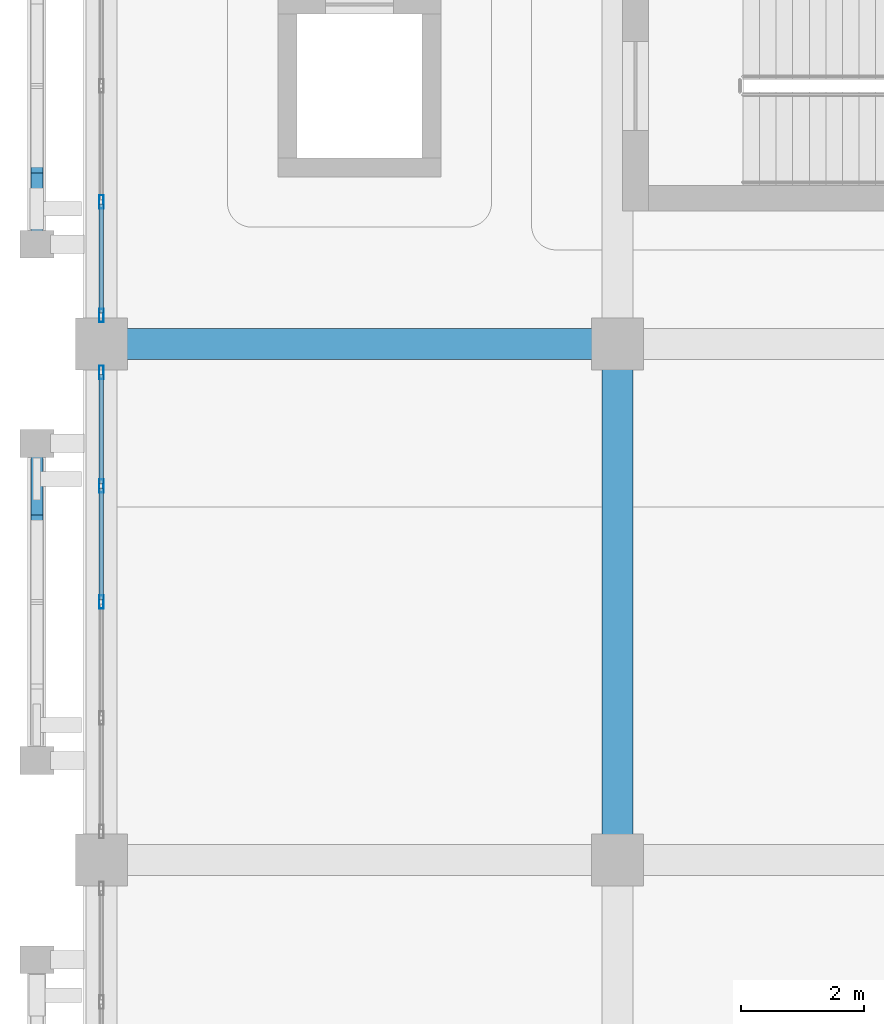
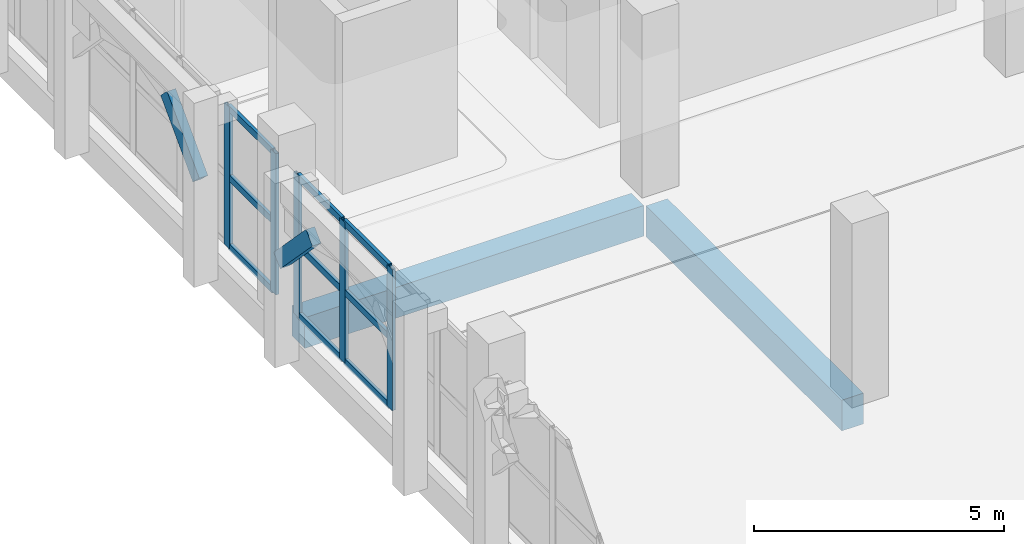
# One storey, part 48 of 137: 16 members, 2 beams, 2 elements without a shape of their own.
"""IFC4 building model written with IfcOpenShell, lengths in metres."""

from ifc_helpers import new_model, si_unit, direction, frame, origin, origin_2d, place, context, subcontext, project, spatial, rectangle, hollow_rectangle, extrude, material, layer, layer_set, material_profile, profile_set, type_object, element, aggregate, save


model = new_model("IFC4")

# Units and contexts
model_context = context("Model", 3, precision=1e-05, world=origin(), true_north=direction((0.0, 1.0)))
body_context = subcontext(model_context, "Body", "Model", "MODEL_VIEW")
ifc_project = project(units=[si_unit("LENGTHUNIT", "METRE"), si_unit("AREAUNIT", "SQUARE_METRE"), si_unit("VOLUMEUNIT", "CUBIC_METRE"), si_unit("PLANEANGLEUNIT", "RADIAN"), si_unit("MASSUNIT", "GRAM", prefix="KILO")], contexts=[model_context])

# Site, building, storey
site_placement = place(None, origin())
site = spatial("IfcSite", under=ifc_project, at=site_placement, CompositionType="ELEMENT")
building_placement = place(site_placement, origin())
building = spatial("IfcBuilding", under=site, at=building_placement, Name="Xazarin Passage Department Store", CompositionType="ELEMENT")
storey_placement = place(building_placement, frame((0.0, 0.0, 5.39990234375)))
storey = spatial("IfcBuildingStorey", under=building, at=storey_placement, Name="L01", CompositionType="ELEMENT", Elevation=5.39990234375)

# Curtain wall, members
ifc_material_1 = material(Name="Bronze anodised aluminium", Category="aluminium")
ifc_layer = layer(ifc_material_1, 0.179931640625)
ifc_layer_set = layer_set([ifc_layer], Name="Bronze anodised aluminium")
curtain_wall_type = type_object("IfcCurtainWallType", Name="ARC-CW-VIT1", PredefinedType="NOTDEFINED", material=ifc_layer_set)
curtain_wall_1_placement = place(storey_placement, origin())
curtain_wall_1 = element("IfcCurtainWall", 1, at=curtain_wall_1_placement, inside=storey, type_object=curtain_wall_type, Name="L01 V1 Curtain Wall 020", PredefinedType="NOTDEFINED")
ifc_material_profile_1 = material_profile(ifc_material_1, hollow_rectangle(XDim=0.074951171875, YDim=0.219970703125, WallThickness=0.0048828125, at=origin_2d()), Name="ALU 75x220")
ifc_profile_set_1 = profile_set([ifc_material_profile_1], Name="Bronze anodised aluminium")
member_type_1 = type_object("IfcMemberType", Name="ARC-CWM-75x220", PredefinedType="MULLION", material=ifc_profile_set_1)
member_1_placement = place(storey_placement, frame((0.0, 72.199951171875, 0.0), z_axis=(0.0, 0.0, 1.0), x_axis=(-1.0, 0.0, 0.0)))
member_1 = element("IfcMember", 2, at=member_1_placement, type_object=member_type_1, Name="CW1 mullion 3", PredefinedType="MULLION", context=body_context, shape_type="SweptSolid", body=[
    extrude(hollow_rectangle(XDim=0.074951171875, YDim=0.219970703125, WallThickness=0.0048828125, at=origin_2d()), origin(), (0.0, 0.0, 1.0), 3.4501953125),
])
member_2_placement = place(storey_placement, frame((0.0, 74.08740234375, 0.0), z_axis=(0.0, 0.0, 1.0), x_axis=(-1.0, 0.0, 0.0)))
member_2 = element("IfcMember", 3, at=member_2_placement, type_object=member_type_1, Name="CW1 mullion 4", PredefinedType="MULLION", context=body_context, shape_type="SweptSolid", body=[
    extrude(hollow_rectangle(XDim=0.074951171875, YDim=0.219970703125, WallThickness=0.0048828125, at=origin_2d()), origin(), (0.0, 0.0, 1.0), 3.4501953125),
])
member_3_placement = place(storey_placement, frame((0.0, 75.9375, 0.0), z_axis=(0.0, 0.0, 1.0), x_axis=(-1.0, 0.0, 0.0)))
member_3 = element("IfcMember", 4, at=member_3_placement, type_object=member_type_1, Name="CW1 mullion 5", PredefinedType="MULLION", context=body_context, shape_type="SweptSolid", body=[
    extrude(hollow_rectangle(XDim=0.074951171875, YDim=0.219970703125, WallThickness=0.0048828125, at=origin_2d()), origin(), (0.0, 0.0, 1.0), 3.4501953125),
])

curtain_wall_2_placement = place(storey_placement, origin())
curtain_wall_2 = element("IfcCurtainWall", 5, at=curtain_wall_2_placement, inside=storey, type_object=curtain_wall_type, Name="L01 V1 Curtain Wall 021", PredefinedType="NOTDEFINED")
member_4_placement = place(storey_placement, frame((0.0, 76.862548828125, 0.0), z_axis=(0.0, 0.0, 1.0), x_axis=(-1.0, 0.0, 0.0)))
member_4 = element("IfcMember", 6, at=member_4_placement, type_object=member_type_1, Name="CW1 mullion 1", PredefinedType="MULLION", context=body_context, shape_type="SweptSolid", body=[
    extrude(hollow_rectangle(XDim=0.074951171875, YDim=0.219970703125, WallThickness=0.0048828125, at=origin_2d()), origin(), (0.0, 0.0, 1.0), 3.4501953125),
])
member_5_placement = place(storey_placement, frame((0.0, 78.71240234375, 0.0), z_axis=(0.0, 0.0, 1.0), x_axis=(-1.0, 0.0, 0.0)))
member_5 = element("IfcMember", 7, at=member_5_placement, type_object=member_type_1, Name="CW1 mullion 2", PredefinedType="MULLION", context=body_context, shape_type="SweptSolid", body=[
    extrude(hollow_rectangle(XDim=0.074951171875, YDim=0.219970703125, WallThickness=0.0048828125, at=origin_2d()), origin(), (0.0, 0.0, 1.0), 3.4501953125),
])

# Member
ifc_material_profile_2 = material_profile(ifc_material_1, hollow_rectangle(XDim=0.074951171875, YDim=0.159912109375, WallThickness=0.00439453125, at=origin_2d()), Name="ALU 75x160")
ifc_profile_set_2 = profile_set([ifc_material_profile_2], Name="Bronze anodised aluminium")
member_type_2 = type_object("IfcMemberType", Name="ARC-CWT-75x160", PredefinedType="USERDEFINED", material=ifc_profile_set_2)
member_6_placement = place(storey_placement, frame((0.0, 72.237548828125, 0.03759765625), z_axis=(0.0, 1.0, 0.0), x_axis=(-1.0, 0.0, 0.0)))
member_6 = element("IfcMember", 8, at=member_6_placement, type_object=member_type_2, Name="CW1 transom 3.1", ObjectType="TRANSOM", PredefinedType="USERDEFINED", context=body_context, shape_type="SweptSolid", body=[
    extrude(hollow_rectangle(XDim=0.074951171875, YDim=0.159912109375, WallThickness=0.00439453125, at=origin_2d()), origin(), (0.0, 0.0, 1.0), 1.8125),
])

member_7_placement = place(storey_placement, frame((0.0, 72.237548828125, 1.72509765625), z_axis=(0.0, 1.0, 0.0), x_axis=(-1.0, 0.0, 0.0)))
member_7 = element("IfcMember", 9, at=member_7_placement, type_object=member_type_2, Name="CW1 transom 3.2", ObjectType="TRANSOM", PredefinedType="USERDEFINED", context=body_context, shape_type="SweptSolid", body=[
    extrude(hollow_rectangle(XDim=0.074951171875, YDim=0.159912109375, WallThickness=0.00439453125, at=origin_2d()), origin(), (0.0, 0.0, 1.0), 1.8125),
])

member_8_placement = place(storey_placement, frame((0.0, 72.237548828125, 3.41259765625), z_axis=(0.0, 1.0, 0.0), x_axis=(-1.0, 0.0, 0.0)))
member_8 = element("IfcMember", 10, at=member_8_placement, type_object=member_type_2, Name="CW1 transom 3.3", ObjectType="TRANSOM", PredefinedType="USERDEFINED", context=body_context, shape_type="SweptSolid", body=[
    extrude(hollow_rectangle(XDim=0.074951171875, YDim=0.159912109375, WallThickness=0.00439453125, at=origin_2d()), origin(), (0.0, 0.0, 1.0), 1.8125),
])

member_9_placement = place(storey_placement, frame((0.0, 74.125, 0.03759765625), z_axis=(0.0, 1.0, 0.0), x_axis=(-1.0, 0.0, 0.0)))
member_9 = element("IfcMember", 11, at=member_9_placement, type_object=member_type_2, Name="CW1 transom 4.1", ObjectType="TRANSOM", PredefinedType="USERDEFINED", context=body_context, shape_type="SweptSolid", body=[
    extrude(hollow_rectangle(XDim=0.074951171875, YDim=0.159912109375, WallThickness=0.00439453125, at=origin_2d()), origin(), (0.0, 0.0, 1.0), 1.77490234375),
])

member_10_placement = place(storey_placement, frame((0.0, 74.125, 1.72509765625), z_axis=(0.0, 1.0, 0.0), x_axis=(-1.0, 0.0, 0.0)))
member_10 = element("IfcMember", 12, at=member_10_placement, type_object=member_type_2, Name="CW1 transom 4.2", ObjectType="TRANSOM", PredefinedType="USERDEFINED", context=body_context, shape_type="SweptSolid", body=[
    extrude(hollow_rectangle(XDim=0.074951171875, YDim=0.159912109375, WallThickness=0.00439453125, at=origin_2d()), origin(), (0.0, 0.0, 1.0), 1.77490234375),
])

member_11_placement = place(storey_placement, frame((0.0, 74.125, 3.41259765625), z_axis=(0.0, 1.0, 0.0), x_axis=(-1.0, 0.0, 0.0)))
member_11 = element("IfcMember", 13, at=member_11_placement, type_object=member_type_2, Name="CW1 transom 4.3", ObjectType="TRANSOM", PredefinedType="USERDEFINED", context=body_context, shape_type="SweptSolid", body=[
    extrude(hollow_rectangle(XDim=0.074951171875, YDim=0.159912109375, WallThickness=0.00439453125, at=origin_2d()), origin(), (0.0, 0.0, 1.0), 1.77490234375),
])

aggregate(curtain_wall_1, [member_1, member_2, member_3, member_6, member_7, member_8, member_9, member_10, member_11])

member_12_placement = place(storey_placement, frame((0.0, 76.89990234375, 0.03759765625), z_axis=(0.0, 1.0, 0.0), x_axis=(-1.0, 0.0, 0.0)))
member_12 = element("IfcMember", 14, at=member_12_placement, type_object=member_type_2, Name="CW1 transom 1.1", ObjectType="TRANSOM", PredefinedType="USERDEFINED", context=body_context, shape_type="SweptSolid", body=[
    extrude(hollow_rectangle(XDim=0.074951171875, YDim=0.159912109375, WallThickness=0.00439453125, at=origin_2d()), origin(), (0.0, 0.0, 1.0), 1.775146484375),
])

member_13_placement = place(storey_placement, frame((0.0, 76.89990234375, 1.72509765625), z_axis=(0.0, 1.0, 0.0), x_axis=(-1.0, 0.0, 0.0)))
member_13 = element("IfcMember", 15, at=member_13_placement, type_object=member_type_2, Name="CW1 transom 1.2", ObjectType="TRANSOM", PredefinedType="USERDEFINED", context=body_context, shape_type="SweptSolid", body=[
    extrude(hollow_rectangle(XDim=0.074951171875, YDim=0.159912109375, WallThickness=0.00439453125, at=origin_2d()), origin(), (0.0, 0.0, 1.0), 1.775146484375),
])

member_14_placement = place(storey_placement, frame((0.0, 76.89990234375, 3.41259765625), z_axis=(0.0, 1.0, 0.0), x_axis=(-1.0, 0.0, 0.0)))
member_14 = element("IfcMember", 16, at=member_14_placement, type_object=member_type_2, Name="CW1 transom 1.3", ObjectType="TRANSOM", PredefinedType="USERDEFINED", context=body_context, shape_type="SweptSolid", body=[
    extrude(hollow_rectangle(XDim=0.074951171875, YDim=0.159912109375, WallThickness=0.00439453125, at=origin_2d()), origin(), (0.0, 0.0, 1.0), 1.775146484375),
])

aggregate(curtain_wall_2, [member_4, member_5, member_12, member_13, member_14])

# Beams
ifc_material_2 = material(Name="Concrete C35/45", Category="concrete")
ifc_material_profile_3 = material_profile(ifc_material_2, rectangle(XDim=0.5, YDim=0.75, at=origin_2d()), Name="RC 500x750")
ifc_profile_set_3 = profile_set([ifc_material_profile_3], Name="Concrete C35/45")
beam_type = type_object("IfcBeamType", Name="STR-BM-SP500x750", PredefinedType="SPANDREL", material=ifc_profile_set_3)
for number, where, z_axis, x_axis, name in (
    (17, (0.280029296875, 76.39990234375, -0.6748046875), (1.0, 0.0, 0.0), (0.0, 1.0, 0.0), "L01 Grid Beam L/1-2"),
    (18, (8.39990234375, 68.280029296875, -0.6748046875), (0.0, 1.0, 0.0), (-1.0, 0.0, 0.0), "L01 Grid Beam 2/K-L"),
):
    element("IfcBeam", number, at=place(storey_placement, frame(where, z_axis=z_axis, x_axis=x_axis)), inside=storey, type_object=beam_type, Name=name, PredefinedType="SPANDREL", context=body_context, shape_type="SweptSolid", body=[
        extrude(rectangle(XDim=0.5, YDim=0.75, at=origin_2d()), origin(), (0.0, 0.0, 1.0), 7.840087890625),
    ])

# Members
ifc_material_3 = material(Name="Concrete C40/50", Category="concrete")
ifc_material_profile_4 = material_profile(ifc_material_3, rectangle(XDim=0.199951171875, YDim=0.360107421875, at=origin_2d()), Name="RC 200x360")
ifc_profile_set_4 = profile_set([ifc_material_profile_4], Name="Concrete C40/50")
member_type_3 = type_object("IfcMemberType", Name="STR-MEM-ARC360", PredefinedType="CHORD", material=ifc_profile_set_4)
for number, where, z_axis, x_axis, name in (
    (19, (-1.050048828125, 73.489990234375, 3.7705078125), (0.0, 0.693460080602, -0.720495049679), (-1.0, 0.0, 0.0), "L01 V1 Pierced Lattice Curved Arch 010.4"),
    (20, (-1.050048828125, 78.02001953125, 2.43017578125), (0.0, 0.693460080602, 0.720495049679), (-1.0, 0.0, 0.0), "L01 V1 Pierced Lattice Curved Arch 011.1"),
):
    element("IfcMember", number, at=place(storey_placement, frame(where, z_axis=z_axis, x_axis=x_axis)), inside=storey, type_object=member_type_3, Name=name, PredefinedType="CHORD", context=body_context, shape_type="SweptSolid", body=[
        extrude(rectangle(XDim=0.199951171875, YDim=0.360107421875, at=origin_2d()), origin(), (0.0, 0.0, 1.0), 1.8603515625),
    ])

save(model, "model.ifc")
